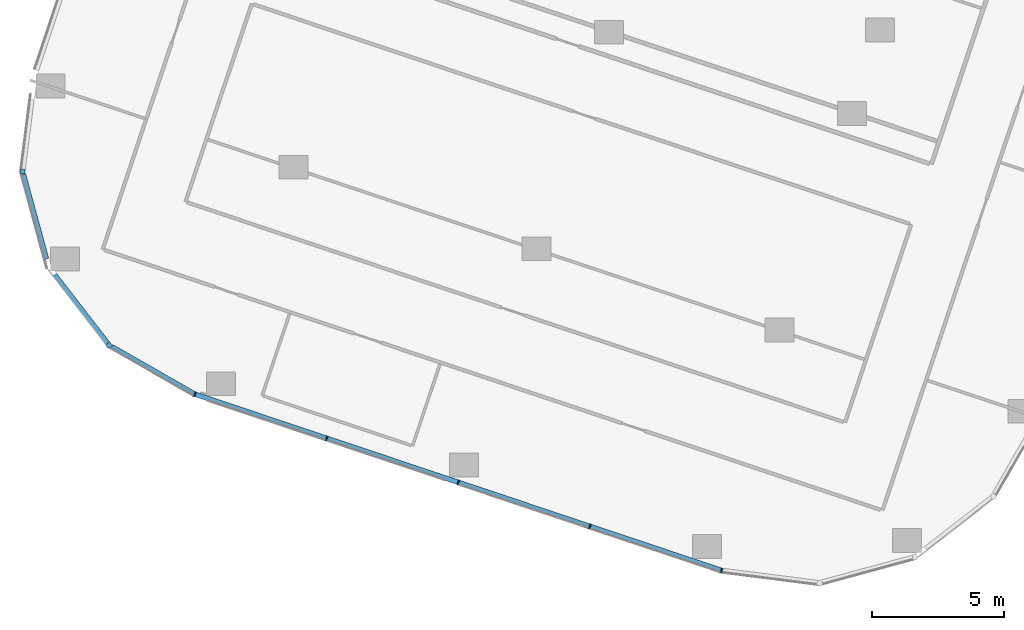
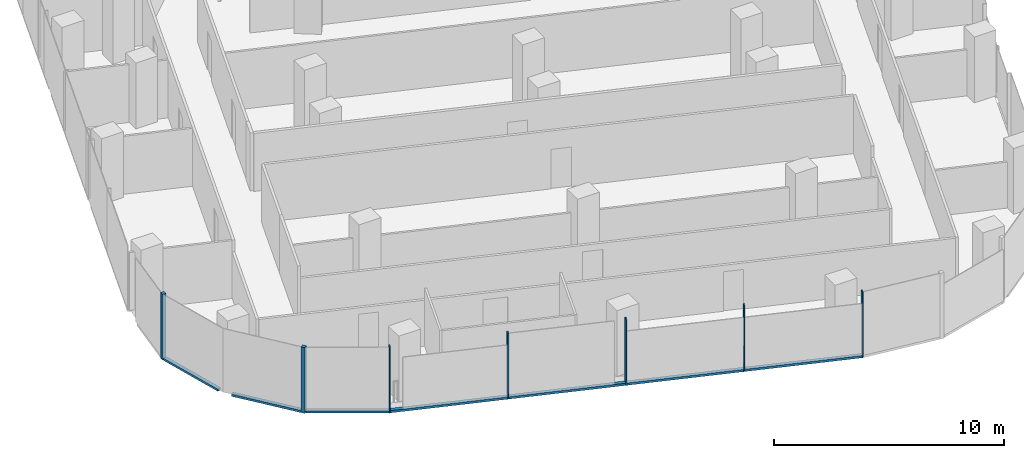
# One storey, part 2 of 25: 11 members, 5 elements without a shape of their own.
"""IFC4 building model written with IfcOpenShell, lengths in metres."""

from ifc_helpers import new_model, si_unit, direction, frame, origin, origin_2d, place, context, subcontext, project, spatial, rectangle, extrude, material, material_profile, profile_set, type_object, element, aggregate, save


model = new_model("IFC4")

# Units and contexts
model_context = context("Model", 3, precision=1e-05, world=origin(), true_north=direction((0.0, 1.0)))
body_context = subcontext(model_context, "Body", "Model", "MODEL_VIEW")
ifc_project = project(units=[si_unit("LENGTHUNIT", "METRE"), si_unit("AREAUNIT", "SQUARE_METRE"), si_unit("VOLUMEUNIT", "CUBIC_METRE"), si_unit("PLANEANGLEUNIT", "RADIAN"), si_unit("MASSUNIT", "GRAM", prefix="KILO")], contexts=[model_context])

# Site, building, storey
site_placement = place(None, origin())
site = spatial("IfcSite", under=ifc_project, at=site_placement, CompositionType="ELEMENT")
building_placement = place(site_placement, origin())
building = spatial("IfcBuilding", under=site, at=building_placement, Name="Orlundy Tower", CompositionType="ELEMENT")
storey_placement = place(building_placement, frame((0.0, 0.0, 159.60009765625)))
storey = spatial("IfcBuildingStorey", under=building, at=storey_placement, Name="L41", CompositionType="ELEMENT", Elevation=159.60009765625)

# Curtain wall, member
ifc_material_1 = material(Name="Aluminium bronze anodised", Category="aluminium")
curtain_wall_type = type_object("IfcCurtainWallType", Name="CW1 wall", PredefinedType="NOTDEFINED", material=ifc_material_1)
curtain_wall_1_placement = place(storey_placement, origin())
curtain_wall_1 = element("IfcCurtainWall", 1, at=curtain_wall_1_placement, inside=storey, type_object=curtain_wall_type, Name="CW1 run 025", PredefinedType="NOTDEFINED")
ifc_material_2 = material(Name="Aluminium bronze anodised", Category="aluminium")
ifc_material_profile_1 = material_profile(ifc_material_2, rectangle(XDim=0.179931640625, YDim=0.179931640625, at=origin_2d()), Name="CW1 corner post 180x180")
ifc_profile_set_1 = profile_set([ifc_material_profile_1], Name="Aluminium bronze anodised")
member_type_1 = type_object("IfcMemberType", Name="CW1 corner post 180x180", PredefinedType="MULLION", material=ifc_profile_set_1)
member_1_placement = place(storey_placement, frame((-32.115234375, -51.3232421875, -0.400146484375), z_axis=(0.0, 0.0, 1.0), x_axis=(-0.790614183516, -0.61231463548, 0.0)))
member_1 = element("IfcMember", 2, at=member_1_placement, type_object=member_type_1, Name="CW1 mullion 58", PredefinedType="MULLION", context=body_context, shape_type="SweptSolid", body=[
    extrude(rectangle(XDim=0.179931640625, YDim=0.179931640625, at=origin_2d()), origin(), (0.0, 0.0, 1.0), 3.5),
])

curtain_wall_2_placement = place(storey_placement, origin())
curtain_wall_2 = element("IfcCurtainWall", 3, at=curtain_wall_2_placement, inside=storey, type_object=curtain_wall_type, Name="CW1 run 027", PredefinedType="NOTDEFINED")
member_2_placement = place(storey_placement, frame((-35.390625, -44.75341796875, -0.400146484375), z_axis=(0.0, 0.0, 1.0), x_axis=(-0.992031053136, 0.125993609416, 0.0)))
member_2 = element("IfcMember", 4, at=member_2_placement, type_object=member_type_1, Name="CW1 mullion 60", PredefinedType="MULLION", context=body_context, shape_type="SweptSolid", body=[
    extrude(rectangle(XDim=0.179931640625, YDim=0.179931640625, at=origin_2d()), origin(), (0.0, 0.0, 1.0), 3.5),
])
aggregate(curtain_wall_2, [member_2])

# Curtain wall, members
curtain_wall_3_placement = place(storey_placement, origin())
curtain_wall_3 = element("IfcCurtainWall", 5, at=curtain_wall_3_placement, inside=storey, type_object=curtain_wall_type, Name="CW1 run 023", PredefinedType="NOTDEFINED")
ifc_material_3 = material(Name="Aluminium bronze anodised", Category="aluminium")
ifc_material_profile_2 = material_profile(ifc_material_3, rectangle(XDim=0.179931640625, YDim=0.050048828125, at=origin_2d()), Name="CW1 mullion 50x180")
ifc_profile_set_2 = profile_set([ifc_material_profile_2], Name="Aluminium bronze anodised")
member_type_2 = type_object("IfcMemberType", Name="CW1 mullion 50x180", PredefinedType="MULLION", material=ifc_profile_set_2)
member_3_placement = place(storey_placement, frame((-8.942138671875, -59.84521484375, -0.400146484375), z_axis=(0.0, 0.0, 1.0), x_axis=(-0.222844071431, -0.974854101816, 0.0)))
member_3 = element("IfcMember", 6, at=member_3_placement, type_object=member_type_2, Name="CW1 mullion 53", PredefinedType="MULLION", context=body_context, shape_type="SweptSolid", body=[
    extrude(rectangle(XDim=0.179931640625, YDim=0.050048828125, at=origin_2d()), origin(), (0.0, 0.0, 1.0), 3.5),
])
member_4_placement = place(storey_placement, frame((-13.92919921875, -58.176513671875, -0.400146484375), z_axis=(0.0, 0.0, 1.0), x_axis=(-0.317284709186, -0.948330329219, 0.0)))
member_4 = element("IfcMember", 7, at=member_4_placement, type_object=member_type_2, Name="CW1 mullion 54", PredefinedType="MULLION", context=body_context, shape_type="SweptSolid", body=[
    extrude(rectangle(XDim=0.179931640625, YDim=0.050048828125, at=origin_2d()), origin(), (0.0, 0.0, 1.0), 3.5),
])
member_5_placement = place(storey_placement, frame((-18.907958984375, -56.5107421875, -0.400146484375), z_axis=(0.0, 0.0, 1.0), x_axis=(-0.317284709186, -0.948330329219, 0.0)))
member_5 = element("IfcMember", 8, at=member_5_placement, type_object=member_type_2, Name="CW1 mullion 55", PredefinedType="MULLION", context=body_context, shape_type="SweptSolid", body=[
    extrude(rectangle(XDim=0.179931640625, YDim=0.050048828125, at=origin_2d()), origin(), (0.0, 0.0, 1.0), 3.5),
])
member_6_placement = place(storey_placement, frame((-23.88671875, -54.84521484375, -0.400146484375), z_axis=(0.0, 0.0, 1.0), x_axis=(-0.317284709186, -0.948330329219, 0.0)))
member_6 = element("IfcMember", 9, at=member_6_placement, type_object=member_type_2, Name="CW1 mullion 56", PredefinedType="MULLION", context=body_context, shape_type="SweptSolid", body=[
    extrude(rectangle(XDim=0.179931640625, YDim=0.050048828125, at=origin_2d()), origin(), (0.0, 0.0, 1.0), 3.5),
])

# Curtain wall, member
curtain_wall_4_placement = place(storey_placement, origin())
curtain_wall_4 = element("IfcCurtainWall", 10, at=curtain_wall_4_placement, inside=storey, type_object=curtain_wall_type, Name="CW1 run 024", PredefinedType="NOTDEFINED")
member_7_placement = place(storey_placement, frame((-28.8740234375, -53.176513671875, -0.400146484375), z_axis=(0.0, 0.0, 1.0), x_axis=(-0.408800504926, -0.912623770878, 0.0)))
member_7 = element("IfcMember", 11, at=member_7_placement, type_object=member_type_2, Name="CW1 mullion 57", PredefinedType="MULLION", context=body_context, shape_type="SweptSolid", body=[
    extrude(rectangle(XDim=0.179931640625, YDim=0.050048828125, at=origin_2d()), origin(), (0.0, 0.0, 1.0), 3.5),
])

# Member
ifc_material_4 = material(Name="Aluminium bronze anodised", Category="aluminium")
ifc_material_profile_3 = material_profile(ifc_material_4, rectangle(XDim=0.179931640625, YDim=0.1201171875, at=origin_2d()), Name="CW1 transom 180x120")
ifc_profile_set_3 = profile_set([ifc_material_profile_3], Name="Aluminium bronze anodised")
member_type_3 = type_object("IfcMemberType", Name="CW1 transom 180x120", PredefinedType="USERDEFINED", material=ifc_profile_set_3)
member_8_placement = place(storey_placement, frame((-8.966064453125, -59.837158203125, -0.340087890625), z_axis=(-0.948331068093, 0.317282500761, 0.0), x_axis=(-0.317282500761, -0.948331068093, 0.0)))
member_8 = element("IfcMember", 12, at=member_8_placement, type_object=member_type_3, Name="CW1 transom", ObjectType="TRANSOM", PredefinedType="USERDEFINED", context=body_context, shape_type="SweptSolid", body=[
    extrude(rectangle(XDim=0.179931640625, YDim=0.1201171875, at=origin_2d()), origin(), (0.0, 0.0, 1.0), 20.96728515625),
])

aggregate(curtain_wall_3, [member_3, member_4, member_5, member_6, member_8])

member_9_placement = place(storey_placement, frame((-28.895751953125, -53.1640625, -0.340087890625), z_axis=(-0.868118305062, 0.496357339441, 0.0), x_axis=(-0.496357339441, -0.868118305062, 0.0)))
member_9 = element("IfcMember", 13, at=member_9_placement, type_object=member_type_3, Name="CW1 transom", ObjectType="TRANSOM", PredefinedType="USERDEFINED", context=body_context, shape_type="SweptSolid", body=[
    extrude(rectangle(XDim=0.179931640625, YDim=0.1201171875, at=origin_2d()), origin(), (0.0, 0.0, 1.0), 3.611328125),
])

aggregate(curtain_wall_4, [member_7, member_9])

member_10_placement = place(storey_placement, frame((-32.17041015625, -51.252197265625, -0.340087890625), z_axis=(-0.612276659315, 0.790643593826, 0.0), x_axis=(-0.790643593826, -0.612276659315, 0.0)))
member_10 = element("IfcMember", 14, at=member_10_placement, type_object=member_type_3, Name="CW1 transom", ObjectType="TRANSOM", PredefinedType="USERDEFINED", context=body_context, shape_type="SweptSolid", body=[
    extrude(rectangle(XDim=0.179931640625, YDim=0.1201171875, at=origin_2d()), origin(), (0.0, 0.0, 1.0), 3.28369140625),
])

aggregate(curtain_wall_1, [member_1, member_10])

# Curtain wall, member
curtain_wall_5_placement = place(storey_placement, origin())
curtain_wall_5 = element("IfcCurtainWall", 15, at=curtain_wall_5_placement, inside=storey, type_object=curtain_wall_type, Name="CW1 run 026", PredefinedType="NOTDEFINED")
member_11_placement = place(storey_placement, frame((-34.488037109375, -48.067138671875, -0.340087890625), z_axis=(-0.262795481313, 0.964851561123, 0.0), x_axis=(-0.964851561123, -0.262795481313, 0.0)))
member_11 = element("IfcMember", 16, at=member_11_placement, type_object=member_type_3, Name="CW1 transom", ObjectType="TRANSOM", PredefinedType="USERDEFINED", context=body_context, shape_type="SweptSolid", body=[
    extrude(rectangle(XDim=0.179931640625, YDim=0.1201171875, at=origin_2d()), origin(), (0.0, 0.0, 1.0), 3.3369140625),
])
aggregate(curtain_wall_5, [member_11])

save(model, "model.ifc")
